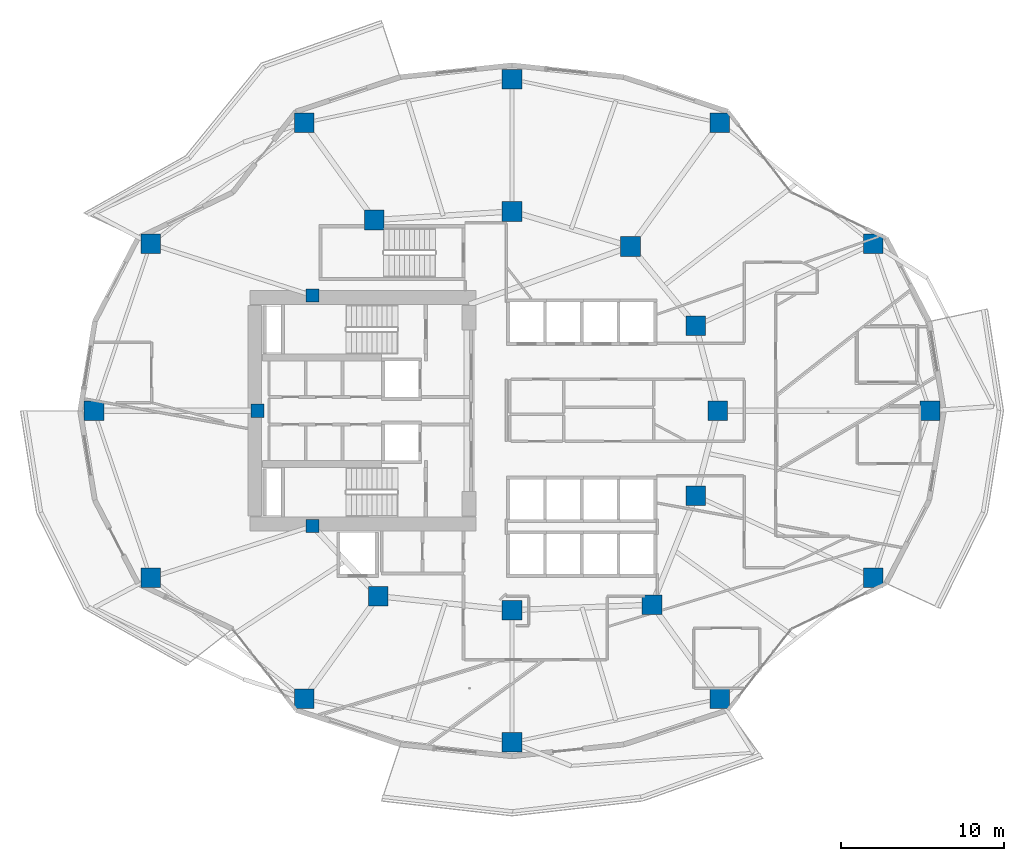
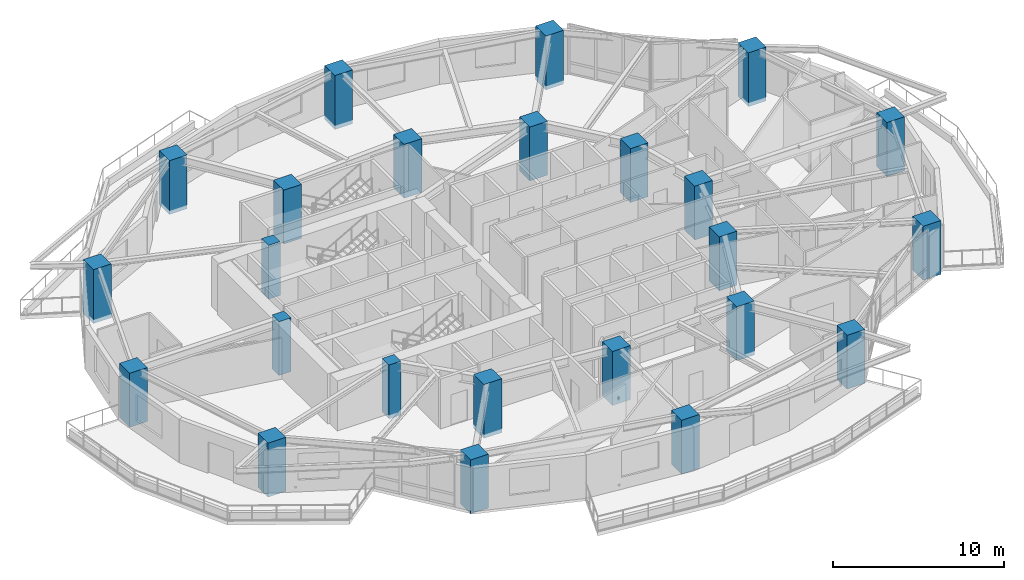
# One storey, part 1 of 19: 24 columns.
"""IFC4 building model written with IfcOpenShell, lengths in metres."""

import ifcopenshell
import ifcopenshell.guid

model = None  # the IFC model being written
_history = None  # IfcOwnerHistory: only IFC2X3 demands one
_inside = {}  # id of a spatial element -> (the spatial element, [elements in it])
_under = {}  # id of a project, library or spatial element -> (it, [spatial elements below it])
_declared = {}  # id of a project -> (the project, [libraries it declares])
_typed = {}  # id of a type object -> (the type object, [elements of that type])
_made_of = {}  # id of a material, layer set ... -> (it, [elements and type objects made of it])


def new_model(schema):
    """Start an empty IFC model of exactly this schema.

    Asked for "IFC4X3", IfcOpenShell would pick the latest addendum, in which some entities
    have other attributes; the version numbers below select the first issue.
    IFC2X3 requires an IfcOwnerHistory on every rooted entity: one is made here for all.
    """
    global model, _history
    if schema == "IFC4X3":
        model = ifcopenshell.file(schema_version=(4, 3, 0, 0))
    else:
        model = ifcopenshell.file(schema=schema)
    _inside.clear()
    _under.clear()
    _declared.clear()
    _typed.clear()
    _made_of.clear()
    _history = None
    if model.schema == "IFC2X3":
        org = make("IfcOrganization", Name="unknown")
        user = make(
            "IfcPersonAndOrganization",
            ThePerson=make("IfcPerson", FamilyName="unknown"),
            TheOrganization=org,
        )
        app = make(
            "IfcApplication",
            ApplicationDeveloper=org,
            Version="unknown",
            ApplicationFullName="unknown",
            ApplicationIdentifier="unknown",
        )
        _history = make(
            "IfcOwnerHistory",
            OwningUser=user,
            OwningApplication=app,
            ChangeAction="ADDED",
            CreationDate=0,
        )
    return model


def make(cls, **values):
    """One entity of the class cls with the attributes given. An attribute that is None is left unset."""
    return model.create_entity(
        cls, **{name: value for name, value in values.items() if value is not None}
    )


def rooted(cls, **values):
    """An entity with a GlobalId (a new one), such as an element, a storey or a relation."""
    return make(cls, GlobalId=ifcopenshell.guid.new(), OwnerHistory=_history, **values)


def si_unit(unit_type, name, prefix=None):
    """IfcSIUnit, for example si_unit("LENGTHUNIT", "METRE", prefix="MILLI")."""
    return make("IfcSIUnit", UnitType=unit_type, Prefix=prefix, Name=name)


def assignment(units):
    """IfcUnitAssignment: the units of a project."""
    return None if units is None else make("IfcUnitAssignment", Units=units)


def point(xyz):
    """IfcCartesianPoint."""
    return None if xyz is None else make("IfcCartesianPoint", Coordinates=xyz)


def direction(xyz):
    """IfcDirection."""
    return None if xyz is None else make("IfcDirection", DirectionRatios=xyz)


def frame(location, z_axis=None, x_axis=None):
    """IfcAxis2Placement3D, a coordinate frame: its origin and axes. An axis left out is left unset."""
    return make(
        "IfcAxis2Placement3D",
        Location=point(location),
        Axis=direction(z_axis),
        RefDirection=direction(x_axis),
    )


def frame_2d(location, x_axis=None):
    """IfcAxis2Placement2D, a coordinate frame in the plane: its origin and x axis."""
    return make(
        "IfcAxis2Placement2D", Location=point(location), RefDirection=direction(x_axis)
    )


def origin():
    """The frame at (0, 0, 0) with its axes left unset."""
    return frame((0.0, 0.0, 0.0))


def origin_2d():
    """The frame at (0, 0) in the plane with its x axis left unset."""
    return frame_2d((0.0, 0.0))


def place(relative_to, where):
    """IfcLocalPlacement: puts the frame where relative to a parent placement (None: the world)."""
    return make(
        "IfcLocalPlacement", PlacementRelTo=relative_to, RelativePlacement=where
    )


def context(
    kind, dimensions, precision=None, world=None, true_north=None, identifier=None
):
    """IfcGeometricRepresentationContext, for example the 3D "Model" context."""
    return make(
        "IfcGeometricRepresentationContext",
        ContextIdentifier=identifier,
        ContextType=kind,
        CoordinateSpaceDimension=dimensions,
        Precision=precision,
        WorldCoordinateSystem=world,
        TrueNorth=true_north,
    )


def subcontext(parent, identifier, kind, view, scale=None):
    """IfcGeometricRepresentationSubContext, for example "Body" below "Model"."""
    return make(
        "IfcGeometricRepresentationSubContext",
        ContextIdentifier=identifier,
        ContextType=kind,
        ParentContext=parent,
        TargetScale=scale,
        TargetView=view,
    )


def project(units=None, contexts=None):
    """IfcProject with its units and contexts."""
    return rooted(
        "IfcProject",
        Name="project",
        RepresentationContexts=contexts,
        UnitsInContext=assignment(units),
    )


def spatial(cls, under=None, at=None, **own):
    """A site, building, storey or space (cls), placed at a placement, below another one or the project."""
    s = rooted(cls, ObjectPlacement=at, **own)
    if under is not None:
        _under.setdefault(under.id(), (under, []))[1].append(s)
    return s


def profile(cls, at=None, kind="AREA", **sizes):
    """A parametric profile (cls). Its sizes go by their IFC names, for example OverallWidth=200.0."""
    return make(cls, ProfileType=kind, Position=at, **sizes)


def rectangle(**sizes):
    """IfcRectangleProfileDef."""
    return profile("IfcRectangleProfileDef", **sizes)


def extrude(swept, where, along, depth):
    """IfcExtrudedAreaSolid: the profile swept, set in the frame where, extruded along a direction by depth."""
    return make(
        "IfcExtrudedAreaSolid",
        SweptArea=swept,
        Position=where,
        ExtrudedDirection=direction(along),
        Depth=depth,
    )


def shape(context_of_items, identifier, shape_type, items):
    """IfcShapeRepresentation: the items that make up one representation, for example the "Body"."""
    return make(
        "IfcShapeRepresentation",
        ContextOfItems=context_of_items,
        RepresentationIdentifier=identifier,
        RepresentationType=shape_type,
        Items=items,
    )


def material(Name=None, Category=None):
    """IfcMaterial."""
    return make("IfcMaterial", Name=Name, Category=Category)


def material_profile(
    of_material, cross_section, Name=None, Category=None, Priority=None
):
    """IfcMaterialProfile: a cross section and its material."""
    return make(
        "IfcMaterialProfile",
        Name=Name,
        Material=of_material,
        Profile=cross_section,
        Priority=Priority,
        Category=Category,
    )


def profile_set(profiles, Name=None, composite=None):
    """IfcMaterialProfileSet."""
    return make(
        "IfcMaterialProfileSet",
        Name=Name,
        MaterialProfiles=profiles,
        CompositeProfile=composite,
    )


def made_of(thing, what):
    """Note that an element or type object is made of a material, layer set ...; save() writes the relation."""
    if what is not None:
        _made_of.setdefault(what.id(), (what, []))[1].append(thing)
    return thing


def type_object(cls, material=None, **own):
    """A type object (cls), such as IfcWallType, which elements share."""
    return made_of(rooted(cls, **own), material)


def element(
    cls,
    number,
    at=None,
    inside=None,
    cuts=None,
    type_object=None,
    material=None,
    context=None,
    identifier="Body",
    shape_type=None,
    held_by="IfcProductDefinitionShape",
    body=None,
    shapes=None,
    **own,
):
    """One element of the class cls, such as IfcWall. Its Tag is "e" and its number.

    at: its placement. inside: the storey or other place that contains it. cuts: it is an
    opening in that element (IfcRelVoidsElement). A single representation is given by context,
    identifier, shape_type and body (its items); several are given by shapes. held_by: the class
    of the entity that holds the representations. save() writes the other relations.
    """
    e = rooted(cls, Tag="e%d" % number, ObjectPlacement=at, **own)
    if body is not None:
        shapes = [shape(context, identifier, shape_type, body)]
    if shapes is not None:
        e.Representation = make(held_by, Representations=shapes)
    if inside is not None:
        _inside.setdefault(inside.id(), (inside, []))[1].append(e)
    if cuts is not None:
        rooted(
            "IfcRelVoidsElement", RelatingBuildingElement=cuts, RelatedOpeningElement=e
        )
    if type_object is not None:
        _typed.setdefault(type_object.id(), (type_object, []))[1].append(e)
    return made_of(e, material)


def aggregate(whole, parts):
    """IfcRelAggregates: a whole, such as a stair, and the parts it consists of."""
    return rooted("IfcRelAggregates", RelatingObject=whole, RelatedObjects=parts)


def save(model, path):
    """Write the relations noted so far, then the file.

    IfcRelAggregates (storeys below a building ...), IfcRelContainedInSpatialStructure (elements
    in a storey), IfcRelDefinesByType, IfcRelAssociatesMaterial and IfcRelDeclares: one each for
    every whole, place, type object, material and project.
    """
    for whole, parts in _under.values():
        aggregate(whole, parts)
    for where, things in _inside.values():
        rooted(
            "IfcRelContainedInSpatialStructure",
            RelatedElements=things,
            RelatingStructure=where,
        )
    for kind, things in _typed.values():
        rooted("IfcRelDefinesByType", RelatedObjects=things, RelatingType=kind)
    for what, things in _made_of.values():
        rooted("IfcRelAssociatesMaterial", RelatedObjects=things, RelatingMaterial=what)
    for by, libraries in _declared.values():
        rooted("IfcRelDeclares", RelatingContext=by, RelatedDefinitions=libraries)
    model.write(path)


model = new_model("IFC4")

# Units and contexts
model_context = context("Model", 3, precision=1e-05, world=origin(), true_north=direction((0.0, 1.0)))
body_context = subcontext(model_context, "Body", "Model", "MODEL_VIEW")
ifc_project = project(units=[si_unit("LENGTHUNIT", "METRE"), si_unit("AREAUNIT", "SQUARE_METRE"), si_unit("VOLUMEUNIT", "CUBIC_METRE"), si_unit("PLANEANGLEUNIT", "RADIAN"), si_unit("MASSUNIT", "GRAM", prefix="KILO")], contexts=[model_context])

# Site, building, storey
site_placement = place(None, origin())
site = spatial("IfcSite", under=ifc_project, at=site_placement, CompositionType="ELEMENT")
building_placement = place(site_placement, origin())
building = spatial("IfcBuilding", under=site, at=building_placement, Name="Kolvaren Gate Tower and Convention Centre", CompositionType="ELEMENT")
storey_placement = place(building_placement, frame((0.0, 0.0, 68.85009765625)))
storey = spatial("IfcBuildingStorey", under=building, at=storey_placement, Name="L16", CompositionType="ELEMENT", Elevation=68.85009765625)

# Columns
ifc_material_1 = material(Name="Concrete C70/85", Category="concrete")
ifc_material_profile_1 = material_profile(ifc_material_1, rectangle(XDim=1.199951171875, YDim=1.199951171875, at=origin_2d()), Name="RC-COL-1200X1200")
ifc_profile_set_1 = profile_set([ifc_material_profile_1], Name="Concrete C70/85")
column_type_1 = type_object("IfcColumnType", Name="STR-COL-RC1200", PredefinedType="COLUMN", material=ifc_profile_set_1)
for number, where, z_axis, x_axis, name in (
    (1, (55.71240234375, 27.0, -0.280029296875), (0.0, 0.0, 1.0), (1.0, 0.0, 0.0), "Tower L16 Perimeter Supercolumn TP-01"),
    (2, (52.248779296875, 37.218505859375, -0.280029296875), (0.0, 0.0, 1.0), (1.0, 0.0, 0.0), "Tower L16 Perimeter Supercolumn TP-02"),
    (3, (42.846435546875, 44.627197265625, -0.280029296875), (0.0, 0.0, 1.0), (1.0, 0.0, 0.0), "Tower L16 Perimeter Supercolumn TP-03"),
    (4, (30.125, 47.300048828125, -0.280029296875), (0.0, 0.0, 1.0), (1.0, 0.0, 0.0), "Tower L16 Perimeter Supercolumn TP-04"),
    (5, (17.40380859375, 44.627197265625, -0.280029296875), (0.0, 0.0, 1.0), (1.0, 0.0, 0.0), "Tower L16 Perimeter Supercolumn TP-05"),
    (6, (8.001220703125, 37.218505859375, -0.280029296875), (0.0, 0.0, 1.0), (1.0, 0.0, 0.0), "Tower L16 Perimeter Supercolumn TP-06"),
    (7, (4.53759765625, 27.0, -0.280029296875), (0.0, 0.0, 1.0), (1.0, 0.0, 0.0), "Tower L16 Perimeter Supercolumn TP-07"),
    (8, (8.001220703125, 16.781494140625, -0.280029296875), (0.0, 0.0, 1.0), (1.0, 0.0, 0.0), "Tower L16 Perimeter Supercolumn TP-08"),
    (9, (17.403564453125, 9.372802734375, -0.280029296875), (0.0, 0.0, 1.0), (1.0, 0.0, 0.0), "Tower L16 Perimeter Supercolumn TP-09"),
    (10, (30.125, 6.699951171875, -0.280029296875), (0.0, 0.0, 1.0), (1.0, 0.0, 0.0), "Tower L16 Perimeter Supercolumn TP-10"),
    (11, (42.846435546875, 9.372802734375, -0.280029296875), (0.0, 0.0, 1.0), (1.0, 0.0, 0.0), "Tower L16 Perimeter Supercolumn TP-11"),
    (12, (52.248779296875, 16.781494140625, -0.280029296875), (0.0, 0.0, 1.0), (1.0, 0.0, 0.0), "Tower L16 Perimeter Supercolumn TP-12"),
    (13, (42.72509765625, 27.0, -0.280029296875), (0.0, 0.0, 1.0), (1.0, 0.0, 0.0), "Tower L16 Interior Column TI-01"),
    (14, (41.382080078125, 32.199462890625, -0.280029296875), (0.0, 0.0, 1.0), (1.0, 0.0, 0.0), "Tower L16 Interior Column TI-02"),
    (15, (37.381591796875, 37.054931640625, -0.280029296875), (0.0, 0.0, 1.0), (1.0, 0.0, 0.0), "Tower L16 Interior Column TI-03"),
    (16, (30.125, 39.199951171875, -0.280029296875), (0.0, 0.0, 1.0), (1.0, 0.0, 0.0), "Tower L16 Interior Column TI-04"),
    (17, (21.697998046875, 38.6767578125, -0.280029296875), (0.0, 0.0, 1.0), (1.0, 0.0, 0.0), "Tower L16 Interior Column TI-05"),
    (18, (21.93212890625, 15.647705078125, -0.280029296875), (0.0, 0.0, 1.0), (1.0, 0.0, 0.0), "Tower L16 Interior Column TI-06"),
    (19, (30.125, 14.800048828125, -0.280029296875), (0.0, 0.0, 1.0), (1.0, 0.0, 0.0), "Tower L16 Interior Column TI-07"),
    (20, (38.6982421875, 15.12060546875, -0.280029296875), (0.0, 0.0, 1.0), (1.0, 0.0, 0.0), "Tower L16 Interior Column TI-08"),
    (21, (41.382080078125, 21.800537109375, -0.280029296875), (0.0, 0.0, 1.0), (1.0, 0.0, 0.0), "Tower L16 Interior Column TI-09"),
):
    element("IfcColumn", number, at=place(storey_placement, frame(where, z_axis=z_axis, x_axis=x_axis)), inside=storey, type_object=column_type_1, Name=name, PredefinedType="COLUMN", context=body_context, shape_type="SweptSolid", body=[
        extrude(rectangle(XDim=1.199951171875, YDim=1.199951171875, at=origin_2d()), origin(), (0.0, 0.0, 1.0), 3.849853515625),
    ])
ifc_material_2 = material(Name="Concrete C60/75", Category="concrete")
ifc_material_profile_2 = material_profile(ifc_material_2, rectangle(XDim=0.800048828125, YDim=0.800048828125, at=origin_2d()), Name="RC-COL-800X800")
ifc_profile_set_2 = profile_set([ifc_material_profile_2], Name="Concrete C60/75")
column_type_2 = type_object("IfcColumnType", Name="STR-PIL-RC800", PredefinedType="PILASTER", material=ifc_profile_set_2)
for number, where, z_axis, x_axis, name in (
    (22, (17.9140625, 34.050048828125, -0.280029296875), (0.0, 0.0, 1.0), (1.0, 0.0, 0.0), "Tower L16 Core Boundary Pilaster TC-05"),
    (23, (14.550048828125, 27.0, -0.280029296875), (0.0, 0.0, 1.0), (1.0, 0.0, 0.0), "Tower L16 Core Boundary Pilaster TC-06"),
    (24, (17.9140625, 19.949951171875, -0.280029296875), (0.0, 0.0, 1.0), (1.0, 0.0, 0.0), "Tower L16 Core Boundary Pilaster TC-07"),
):
    element("IfcColumn", number, at=place(storey_placement, frame(where, z_axis=z_axis, x_axis=x_axis)), inside=storey, type_object=column_type_2, Name=name, PredefinedType="PILASTER", context=body_context, shape_type="SweptSolid", body=[
        extrude(rectangle(XDim=0.800048828125, YDim=0.800048828125, at=origin_2d()), origin(), (0.0, 0.0, 1.0), 3.849853515625),
    ])

save(model, "model.ifc")
